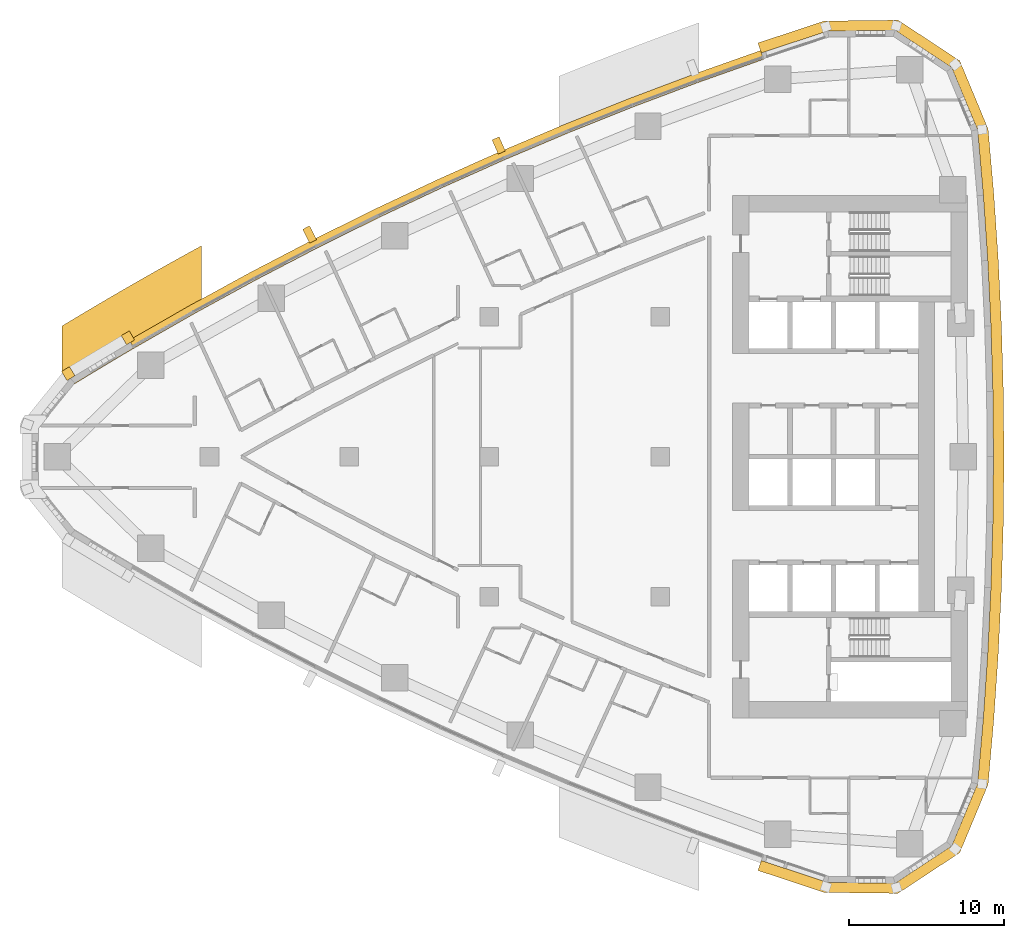
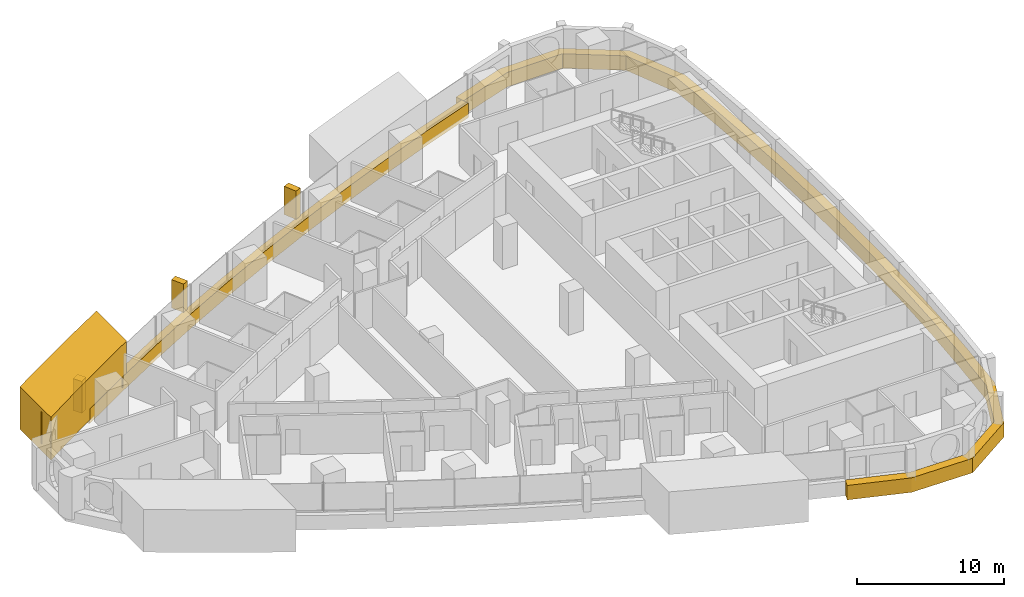
# One storey, part 16 of 17: 7 coverings.
"""IFC4 building model written with IfcOpenShell, lengths in metres."""

from ifc_helpers import new_model, si_unit, direction, frame, frame_2d, origin, place, context, subcontext, project, spatial, polyline, rectangle, outline, extrude, material, layer, layer_set, type_object, element, save


model = new_model("IFC4")

# Units and contexts
model_context = context("Model", 3, precision=1e-05, world=origin(), true_north=direction((0.0, 1.0)))
body_context = subcontext(model_context, "Body", "Model", "MODEL_VIEW")
ifc_project = project(units=[si_unit("LENGTHUNIT", "METRE"), si_unit("AREAUNIT", "SQUARE_METRE"), si_unit("VOLUMEUNIT", "CUBIC_METRE"), si_unit("PLANEANGLEUNIT", "RADIAN"), si_unit("MASSUNIT", "GRAM", prefix="KILO")], contexts=[model_context])

# Site, building, storey
site_placement = place(None, origin())
site = spatial("IfcSite", under=ifc_project, at=site_placement, CompositionType="ELEMENT")
building_placement = place(site_placement, origin())
building = spatial("IfcBuilding", under=site, at=building_placement, Name="Ostrand Prow Hotel Tower", CompositionType="ELEMENT")
storey_placement = place(building_placement, frame((0.0, 0.0, 84.89990234375)))
storey = spatial("IfcBuildingStorey", under=building, at=storey_placement, Name="L19", CompositionType="ELEMENT", Elevation=84.89990234375)

# Coverings
ifc_material_1 = material(Name="Bronze anodised aluminium cladding", Category="aluminium")
ifc_layer_1 = layer(ifc_material_1, 0.60009765625)
ifc_layer_set_1 = layer_set([ifc_layer_1], Name="Bronze anodised aluminium cladding")
covering_type_1 = type_object("IfcCoveringType", Name="Bronze spandrel band 1200x600", PredefinedType="CLADDING", material=ifc_layer_set_1)
covering_1_placement = place(storey_placement, frame((0.0, 0.0, -0.2998046875)))
element("IfcCovering", 1, at=covering_1_placement, inside=storey, type_object=covering_type_1, Name="Spandrel band N1", PredefinedType="CLADDING", context=body_context, shape_type="SweptSolid", body=[
    extrude(outline(polyline([(51.4501953125, 26.1328125), (47.231201171875, 24.64013671875), (43.042724609375, 23.0634765625), (38.88671875, 21.4033203125), (34.764892578125, 19.659912109375), (30.6787109375, 17.834716796875), (26.6298828125, 15.927734375), (22.620361328125, 13.940185546875), (18.651123046875, 11.872802734375), (14.72412109375, 9.726318359375), (10.841064453125, 7.50146484375), (11.144287109375, 6.98388671875), (15.01708984375, 9.20263671875), (18.93359375, 11.343505859375), (22.89208984375, 13.4052734375), (26.89111328125, 15.3876953125), (30.928955078125, 17.289306640625), (35.004150390625, 19.10986328125), (39.114990234375, 20.848388671875), (43.259765625, 22.504150390625), (47.43701171875, 24.076416015625), (51.644775390625, 25.56494140625), (51.4501953125, 26.1328125)])), origin(), (0.0, 0.0, 1.0), 1.199951171875),
])
covering_2_placement = place(storey_placement, frame((0.0, 0.0, -0.2998046875)))
element("IfcCovering", 2, at=covering_2_placement, inside=storey, type_object=covering_type_1, Name="Spandrel band back 1", PredefinedType="CLADDING", context=body_context, shape_type="SweptSolid", body=[
    extrude(outline(polyline([(51.28369140625, -26.619384765625), (55.54150390625, -28.0302734375), (60.2958984375, -28.09033203125), (64.267578125, -25.476806640625), (66.09326171875, -21.086669921875), (66.460693359375, -16.87890625), (66.74658203125, -12.664794921875), (66.950927734375, -8.44580078125), (67.073486328125, -4.2236328125), (67.114501953125, 0.0), (67.073486328125, 4.2236328125), (66.950927734375, 8.44580078125), (66.74658203125, 12.664794921875), (66.460693359375, 16.87890625), (66.09326171875, 21.086669921875), (64.267578125, 25.476806640625), (60.2958984375, 28.09033203125), (55.54150390625, 28.0302734375), (51.28369140625, 26.619384765625), (51.50390625, 25.97607421875), (55.7490234375, 27.3828125), (60.104736328125, 27.437744140625), (63.74365234375, 25.043212890625), (65.41650390625, 21.02099609375), (65.78271484375, 16.826416015625), (66.067626953125, 12.625244140625), (66.271484375, 8.41943359375), (66.393798828125, 4.21044921875), (66.434326171875, 0.0), (66.393798828125, -4.21044921875), (66.271484375, -8.41943359375), (66.067626953125, -12.625244140625), (65.78271484375, -16.826416015625), (65.41650390625, -21.02099609375), (63.74365234375, -25.043212890625), (60.104736328125, -27.437744140625), (55.7490234375, -27.3828125), (51.50390625, -25.97607421875), (51.28369140625, -26.619384765625)])), origin(), (0.0, 0.0, 1.0), 1.199951171875),
])
ifc_material_2 = material(Name="Limestone cladding", Category="masonry")
ifc_layer_2 = layer(ifc_material_2, 5.0)
ifc_layer_set_2 = layer_set([ifc_layer_2], Name="Limestone cladding")
covering_type_2 = type_object("IfcCoveringType", Name="Portal jamb pilaster limestone", PredefinedType="CLADDING", material=ifc_layer_set_2)
covering_3_placement = place(storey_placement, origin())
element("IfcCovering", 3, at=covering_3_placement, inside=storey, type_object=covering_type_2, Name="Portal jamb NA L19", PredefinedType="CLADDING", context=body_context, shape_type="SweptSolid", body=[
    extrude(outline(polyline([(6.5, 4.184326171875), (7.5, 4.80029296875), (8.5, 5.40869140625), (9.5, 6.01025390625), (10.5, 6.6044921875), (11.5, 7.19189453125), (12.5, 7.772216796875), (13.5, 8.345703125), (14.5, 8.912353515625), (15.5, 9.47216796875), (15.5, 13.581787109375), (14.5, 13.03369140625), (13.5, 12.478759765625), (12.5, 11.91748046875), (11.5, 11.349365234375), (10.5, 10.7744140625), (9.5, 10.19287109375), (8.5, 9.604248046875), (7.5, 9.0087890625), (6.5, 8.40625), (6.5, 4.184326171875)])), origin(), (0.0, 0.0, 1.0), 3.550048828125),
])
ifc_material_3 = material(Name="Limestone cladding", Category="masonry")
ifc_layer_3 = layer(ifc_material_3, 0.5)
ifc_layer_set_3 = layer_set([ifc_layer_3], Name="Limestone cladding")
covering_type_3 = type_object("IfcCoveringType", Name="Precast stone fin 500x900", PredefinedType="CLADDING", material=ifc_layer_set_3)
covering_4_placement = place(storey_placement, frame((34.8046875, 19.568359375, 0.900146484375), z_axis=(0.0, 0.0, 1.0), x_axis=(-0.398717183359, 0.917073937965, 0.0)))
element("IfcCovering", 4, at=covering_4_placement, inside=storey, type_object=covering_type_3, Name="Stone fin N 5", PredefinedType="CLADDING", context=body_context, shape_type="SweptSolid", body=[
    extrude(rectangle(XDim=1.0, YDim=0.5, at=frame_2d((0.5, 0.0))), origin(), (0.0, 0.0, 1.0), 2.349853515625),
])
covering_5_placement = place(storey_placement, frame((22.66552734375, 13.85107421875, 0.900146484375), z_axis=(0.0, 0.0, 1.0), x_axis=(-0.453062569589, 0.891478719902, 0.0)))
element("IfcCovering", 5, at=covering_5_placement, inside=storey, type_object=covering_type_3, Name="Stone fin N 8", PredefinedType="CLADDING", context=body_context, shape_type="SweptSolid", body=[
    extrude(rectangle(XDim=1.000244140625, YDim=0.5, at=frame_2d((0.5, 0.0))), origin(), (0.0, 0.0, 1.0), 2.349853515625),
])
ifc_material_4 = material(Name="Limestone cladding", Category="masonry")
ifc_layer_4 = layer(ifc_material_4, 0.60009765625)
ifc_layer_set_4 = layer_set([ifc_layer_4], Name="Limestone cladding")
covering_type_4 = type_object("IfcCoveringType", Name="Precast stone prow rib 600x600", PredefinedType="CLADDING", material=ifc_layer_set_4)
covering_6_placement = place(storey_placement, frame((10.9248046875, 7.358642578125, 0.60009765625), z_axis=(0.0, 0.0, 1.0), x_axis=(-0.505811626043, 0.862643958397, 0.0)))
element("IfcCovering", 6, at=covering_6_placement, inside=storey, type_object=covering_type_4, Name="Stone prow rib 1", PredefinedType="CLADDING", context=body_context, shape_type="SweptSolid", body=[
    extrude(rectangle(XDim=0.68017578125, YDim=0.60009765625, at=frame_2d((0.340087890625, 0.0))), origin(), (0.0, 0.0, 1.0), 2.64990234375),
])
covering_7_placement = place(storey_placement, frame((7.089599609375, 5.058349609375, 0.60009765625), z_axis=(0.0, 0.0, 1.0), x_axis=(-0.522814637618, 0.852446394029, 0.0)))
element("IfcCovering", 7, at=covering_7_placement, inside=storey, type_object=covering_type_4, Name="Stone prow rib 2", PredefinedType="CLADDING", context=body_context, shape_type="SweptSolid", body=[
    extrude(rectangle(XDim=0.679931640625, YDim=0.60009765625, at=frame_2d((0.33984375, 0.0))), origin(), (0.0, 0.0, 1.0), 2.64990234375),
])

save(model, "model.ifc")
